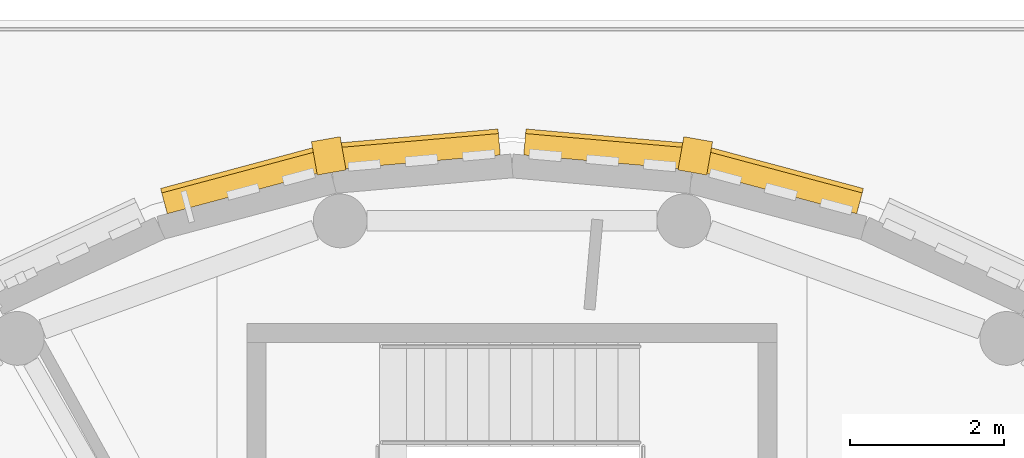
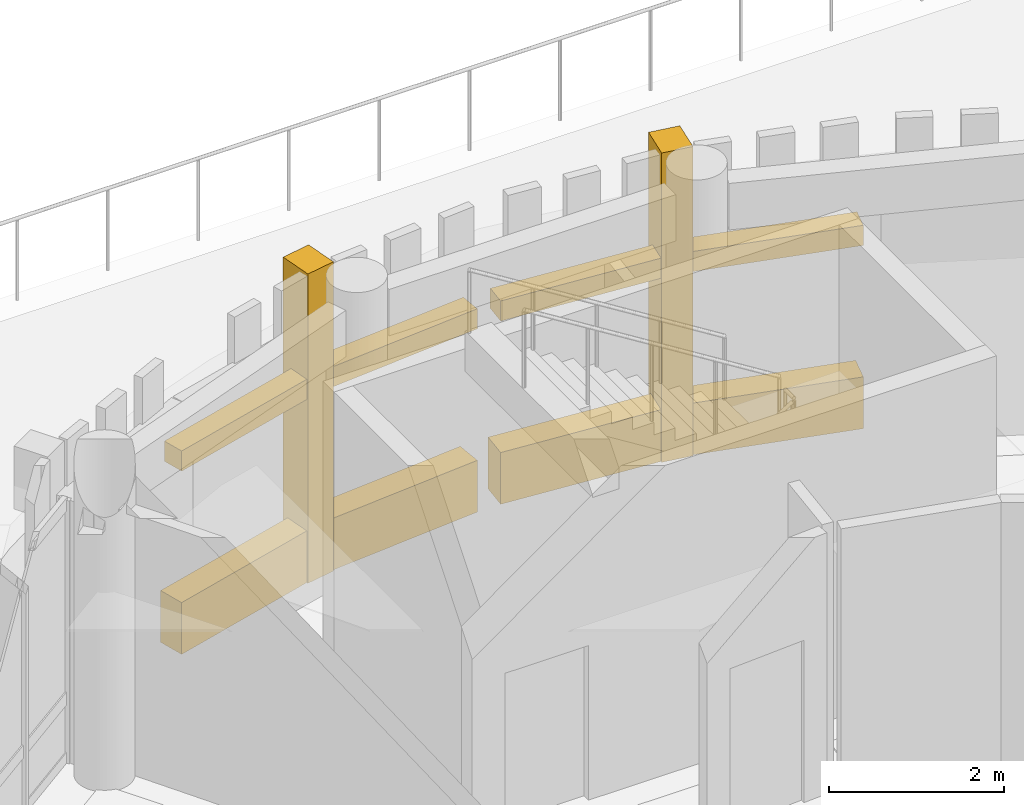
# One storey, part 86 of 94: 10 coverings.
"""IFC4 building model written with IfcOpenShell, lengths in metres."""

from ifc_helpers import new_model, si_unit, direction, frame, origin, origin_2d, place, context, subcontext, project, spatial, rectangle, extrude, material, layer, layer_set, type_object, element, save


model = new_model("IFC4")

# Units and contexts
model_context = context("Model", 3, precision=1e-05, world=origin(), true_north=direction((0.0, 1.0)))
body_context = subcontext(model_context, "Body", "Model", "MODEL_VIEW")
ifc_project = project(units=[si_unit("LENGTHUNIT", "METRE"), si_unit("AREAUNIT", "SQUARE_METRE"), si_unit("VOLUMEUNIT", "CUBIC_METRE"), si_unit("PLANEANGLEUNIT", "RADIAN"), si_unit("MASSUNIT", "GRAM", prefix="KILO")], contexts=[model_context])

# Site, building, storey
site_placement = place(None, origin())
site = spatial("IfcSite", under=ifc_project, at=site_placement, CompositionType="ELEMENT")
building_placement = place(site_placement, origin())
building = spatial("IfcBuilding", under=site, at=building_placement, Name="Aldenvaro Health Centre", CompositionType="ELEMENT")
storey_placement = place(building_placement, origin())
storey = spatial("IfcBuildingStorey", under=building, at=storey_placement, Name="L00", CompositionType="ELEMENT", Elevation=0.0)

# Coverings
ifc_material = material(Name="Honed Sonoran Buff Limestone", Category="masonry")
ifc_layer = layer(ifc_material, 0.280029296875, Name="Honed Sonoran Buff Limestone", Category="masonry")
ifc_layer_set = layer_set([ifc_layer], Name="Honed Sonoran Buff Limestone")
covering_type = type_object("IfcCoveringType", Name="COV-CRN-STN", PredefinedType="CLADDING", material=ifc_layer_set)
covering_1_placement = place(storey_placement, frame((14.9609375, 112.7080078125, 0.0), z_axis=(0.0, 0.0, 1.0), x_axis=(0.965978620089, 0.258621935517, 0.0)))
element("IfcCovering", 1, at=covering_1_placement, inside=storey, type_object=covering_type, Name="D4 L00 Rusticated Limestone Plinth 26.1", PredefinedType="CLADDING", context=body_context, shape_type="SweptSolid", body=[
    extrude(rectangle(XDim=2.054931640625, YDim=0.340087890625, at=origin_2d()), origin(), (0.0, 0.0, 1.0), 0.719970703125),
])
covering_2_placement = place(storey_placement, frame((14.968994140625, 112.678955078125, 2.5498046875), z_axis=(0.0, 0.0, 1.0), x_axis=(0.965978620089, 0.258621935517, 0.0)))
element("IfcCovering", 2, at=covering_2_placement, inside=storey, type_object=covering_type, Name="D4 L00 Rusticated Limestone Plinth 26.2", PredefinedType="CLADDING", context=body_context, shape_type="SweptSolid", body=[
    extrude(rectangle(XDim=2.054931640625, YDim=0.280029296875, at=origin_2d()), origin(), (0.0, 0.0, 1.0), 0.280029296875),
])
covering_3_placement = place(storey_placement, frame((17.30810546875, 113.1220703125, 0.0), z_axis=(0.0, 0.0, 1.0), x_axis=(0.996179299052, 0.087331575855, 0.0)))
element("IfcCovering", 3, at=covering_3_placement, inside=storey, type_object=covering_type, Name="D4 L00 Rusticated Limestone Plinth 27.1", PredefinedType="CLADDING", context=body_context, shape_type="SweptSolid", body=[
    extrude(rectangle(XDim=2.055908203125, YDim=0.340087890625, at=origin_2d()), origin(), (0.0, 0.0, 1.0), 0.719970703125),
])
covering_4_placement = place(storey_placement, frame((17.31103515625, 113.092041015625, 2.5498046875), z_axis=(0.0, 0.0, 1.0), x_axis=(0.996179299052, 0.087331575855, 0.0)))
element("IfcCovering", 4, at=covering_4_placement, inside=storey, type_object=covering_type, Name="D4 L00 Rusticated Limestone Plinth 27.2", PredefinedType="CLADDING", context=body_context, shape_type="SweptSolid", body=[
    extrude(rectangle(XDim=2.055908203125, YDim=0.280029296875, at=origin_2d()), origin(), (0.0, 0.0, 1.0), 0.280029296875),
])
covering_5_placement = place(storey_placement, frame((16.114013671875, 113.031005859375, -0.00048828125), z_axis=(0.0, 0.0, 1.0), x_axis=(-0.173661868999, 0.984805338763, 0.0)))
element("IfcCovering", 5, at=covering_5_placement, inside=storey, type_object=covering_type, Name="D4 L00 Engaged Classical Limestone Pilaster 14", PredefinedType="CLADDING", context=body_context, shape_type="SweptSolid", body=[
    extrude(rectangle(XDim=0.43994140625, YDim=0.3798828125, at=origin_2d()), origin(), (0.0, 0.0, 1.0), 4.304931640625),
])
covering_6_placement = place(storey_placement, frame((19.69189453125, 113.1220703125, 0.0), z_axis=(0.0, 0.0, 1.0), x_axis=(0.996179299052, -0.087331575855, 0.0)))
element("IfcCovering", 6, at=covering_6_placement, inside=storey, type_object=covering_type, Name="D4 L00 Rusticated Limestone Plinth 28.1", PredefinedType="CLADDING", context=body_context, shape_type="SweptSolid", body=[
    extrude(rectangle(XDim=2.055908203125, YDim=0.340087890625, at=origin_2d()), origin(), (0.0, 0.0, 1.0), 0.719970703125),
])
covering_7_placement = place(storey_placement, frame((19.68896484375, 113.092041015625, 2.5498046875), z_axis=(0.0, 0.0, 1.0), x_axis=(0.996179299052, -0.087331575855, 0.0)))
element("IfcCovering", 7, at=covering_7_placement, inside=storey, type_object=covering_type, Name="D4 L00 Rusticated Limestone Plinth 28.2", PredefinedType="CLADDING", context=body_context, shape_type="SweptSolid", body=[
    extrude(rectangle(XDim=2.055908203125, YDim=0.280029296875, at=origin_2d()), origin(), (0.0, 0.0, 1.0), 0.280029296875),
])
covering_8_placement = place(storey_placement, frame((22.0390625, 112.7080078125, 0.0), z_axis=(0.0, 0.0, 1.0), x_axis=(0.965978620089, -0.258621935517, 0.0)))
element("IfcCovering", 8, at=covering_8_placement, inside=storey, type_object=covering_type, Name="D4 L00 Rusticated Limestone Plinth 29.1", PredefinedType="CLADDING", context=body_context, shape_type="SweptSolid", body=[
    extrude(rectangle(XDim=2.054931640625, YDim=0.340087890625, at=origin_2d()), origin(), (0.0, 0.0, 1.0), 0.719970703125),
])
covering_9_placement = place(storey_placement, frame((22.031005859375, 112.678955078125, 2.5498046875), z_axis=(0.0, 0.0, 1.0), x_axis=(0.965978620089, -0.258621935517, 0.0)))
element("IfcCovering", 9, at=covering_9_placement, inside=storey, type_object=covering_type, Name="D4 L00 Rusticated Limestone Plinth 29.2", PredefinedType="CLADDING", context=body_context, shape_type="SweptSolid", body=[
    extrude(rectangle(XDim=2.054931640625, YDim=0.280029296875, at=origin_2d()), origin(), (0.0, 0.0, 1.0), 0.280029296875),
])
covering_10_placement = place(storey_placement, frame((20.885986328125, 113.031005859375, -0.00048828125), z_axis=(0.0, 0.0, 1.0), x_axis=(0.173661868999, 0.984805338763, 0.0)))
element("IfcCovering", 10, at=covering_10_placement, inside=storey, type_object=covering_type, Name="D4 L00 Engaged Classical Limestone Pilaster 15", PredefinedType="CLADDING", context=body_context, shape_type="SweptSolid", body=[
    extrude(rectangle(XDim=0.43994140625, YDim=0.3798828125, at=origin_2d()), origin(), (0.0, 0.0, 1.0), 4.304931640625),
])

save(model, "model.ifc")
